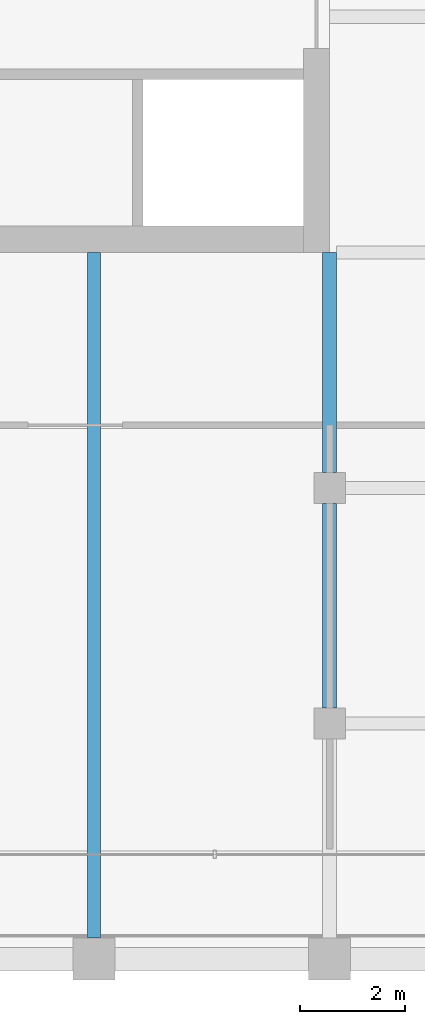
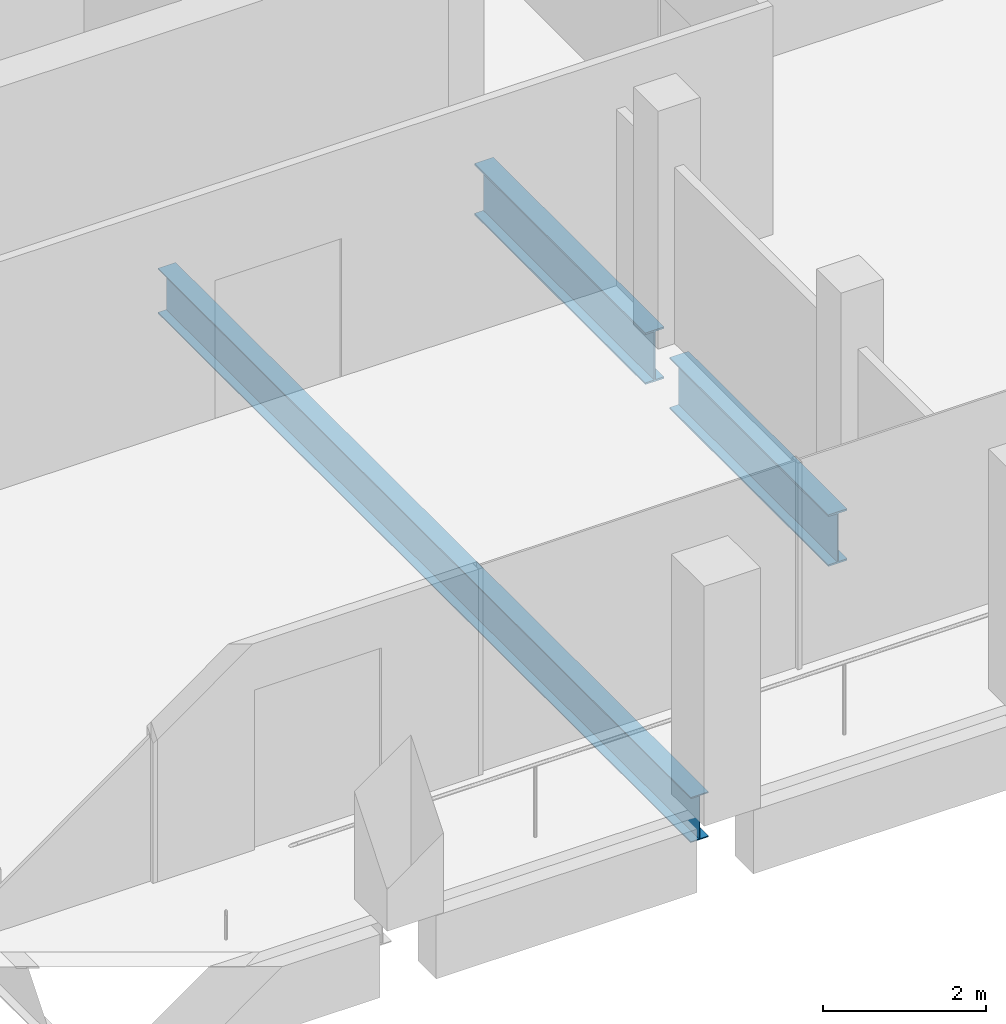
# One storey, part 10 of 30: 3 beams.
"""IFC4 building model written with IfcOpenShell, lengths in metres."""

import ifcopenshell
import ifcopenshell.guid

model = None  # the IFC model being written
_history = None  # IfcOwnerHistory: only IFC2X3 demands one
_inside = {}  # id of a spatial element -> (the spatial element, [elements in it])
_under = {}  # id of a project, library or spatial element -> (it, [spatial elements below it])
_declared = {}  # id of a project -> (the project, [libraries it declares])
_typed = {}  # id of a type object -> (the type object, [elements of that type])
_made_of = {}  # id of a material, layer set ... -> (it, [elements and type objects made of it])


def new_model(schema):
    """Start an empty IFC model of exactly this schema.

    Asked for "IFC4X3", IfcOpenShell would pick the latest addendum, in which some entities
    have other attributes; the version numbers below select the first issue.
    IFC2X3 requires an IfcOwnerHistory on every rooted entity: one is made here for all.
    """
    global model, _history
    if schema == "IFC4X3":
        model = ifcopenshell.file(schema_version=(4, 3, 0, 0))
    else:
        model = ifcopenshell.file(schema=schema)
    _inside.clear()
    _under.clear()
    _declared.clear()
    _typed.clear()
    _made_of.clear()
    _history = None
    if model.schema == "IFC2X3":
        org = make("IfcOrganization", Name="unknown")
        user = make(
            "IfcPersonAndOrganization",
            ThePerson=make("IfcPerson", FamilyName="unknown"),
            TheOrganization=org,
        )
        app = make(
            "IfcApplication",
            ApplicationDeveloper=org,
            Version="unknown",
            ApplicationFullName="unknown",
            ApplicationIdentifier="unknown",
        )
        _history = make(
            "IfcOwnerHistory",
            OwningUser=user,
            OwningApplication=app,
            ChangeAction="ADDED",
            CreationDate=0,
        )
    return model


def make(cls, **values):
    """One entity of the class cls with the attributes given. An attribute that is None is left unset."""
    return model.create_entity(
        cls, **{name: value for name, value in values.items() if value is not None}
    )


def rooted(cls, **values):
    """An entity with a GlobalId (a new one), such as an element, a storey or a relation."""
    return make(cls, GlobalId=ifcopenshell.guid.new(), OwnerHistory=_history, **values)


def si_unit(unit_type, name, prefix=None):
    """IfcSIUnit, for example si_unit("LENGTHUNIT", "METRE", prefix="MILLI")."""
    return make("IfcSIUnit", UnitType=unit_type, Prefix=prefix, Name=name)


def assignment(units):
    """IfcUnitAssignment: the units of a project."""
    return None if units is None else make("IfcUnitAssignment", Units=units)


def point(xyz):
    """IfcCartesianPoint."""
    return None if xyz is None else make("IfcCartesianPoint", Coordinates=xyz)


def direction(xyz):
    """IfcDirection."""
    return None if xyz is None else make("IfcDirection", DirectionRatios=xyz)


def frame(location, z_axis=None, x_axis=None):
    """IfcAxis2Placement3D, a coordinate frame: its origin and axes. An axis left out is left unset."""
    return make(
        "IfcAxis2Placement3D",
        Location=point(location),
        Axis=direction(z_axis),
        RefDirection=direction(x_axis),
    )


def frame_2d(location, x_axis=None):
    """IfcAxis2Placement2D, a coordinate frame in the plane: its origin and x axis."""
    return make(
        "IfcAxis2Placement2D", Location=point(location), RefDirection=direction(x_axis)
    )


def origin():
    """The frame at (0, 0, 0) with its axes left unset."""
    return frame((0.0, 0.0, 0.0))


def origin_2d():
    """The frame at (0, 0) in the plane with its x axis left unset."""
    return frame_2d((0.0, 0.0))


def place(relative_to, where):
    """IfcLocalPlacement: puts the frame where relative to a parent placement (None: the world)."""
    return make(
        "IfcLocalPlacement", PlacementRelTo=relative_to, RelativePlacement=where
    )


def context(
    kind, dimensions, precision=None, world=None, true_north=None, identifier=None
):
    """IfcGeometricRepresentationContext, for example the 3D "Model" context."""
    return make(
        "IfcGeometricRepresentationContext",
        ContextIdentifier=identifier,
        ContextType=kind,
        CoordinateSpaceDimension=dimensions,
        Precision=precision,
        WorldCoordinateSystem=world,
        TrueNorth=true_north,
    )


def subcontext(parent, identifier, kind, view, scale=None):
    """IfcGeometricRepresentationSubContext, for example "Body" below "Model"."""
    return make(
        "IfcGeometricRepresentationSubContext",
        ContextIdentifier=identifier,
        ContextType=kind,
        ParentContext=parent,
        TargetScale=scale,
        TargetView=view,
    )


def project(units=None, contexts=None):
    """IfcProject with its units and contexts."""
    return rooted(
        "IfcProject",
        Name="project",
        RepresentationContexts=contexts,
        UnitsInContext=assignment(units),
    )


def spatial(cls, under=None, at=None, **own):
    """A site, building, storey or space (cls), placed at a placement, below another one or the project."""
    s = rooted(cls, ObjectPlacement=at, **own)
    if under is not None:
        _under.setdefault(under.id(), (under, []))[1].append(s)
    return s


def profile(cls, at=None, kind="AREA", **sizes):
    """A parametric profile (cls). Its sizes go by their IFC names, for example OverallWidth=200.0."""
    return make(cls, ProfileType=kind, Position=at, **sizes)


def i_section(**sizes):
    """IfcIShapeProfileDef."""
    return profile("IfcIShapeProfileDef", **sizes)


def extrude(swept, where, along, depth):
    """IfcExtrudedAreaSolid: the profile swept, set in the frame where, extruded along a direction by depth."""
    return make(
        "IfcExtrudedAreaSolid",
        SweptArea=swept,
        Position=where,
        ExtrudedDirection=direction(along),
        Depth=depth,
    )


def shape(context_of_items, identifier, shape_type, items):
    """IfcShapeRepresentation: the items that make up one representation, for example the "Body"."""
    return make(
        "IfcShapeRepresentation",
        ContextOfItems=context_of_items,
        RepresentationIdentifier=identifier,
        RepresentationType=shape_type,
        Items=items,
    )


def material(Name=None, Category=None):
    """IfcMaterial."""
    return make("IfcMaterial", Name=Name, Category=Category)


def material_profile(
    of_material, cross_section, Name=None, Category=None, Priority=None
):
    """IfcMaterialProfile: a cross section and its material."""
    return make(
        "IfcMaterialProfile",
        Name=Name,
        Material=of_material,
        Profile=cross_section,
        Priority=Priority,
        Category=Category,
    )


def profile_set(profiles, Name=None, composite=None):
    """IfcMaterialProfileSet."""
    return make(
        "IfcMaterialProfileSet",
        Name=Name,
        MaterialProfiles=profiles,
        CompositeProfile=composite,
    )


def made_of(thing, what):
    """Note that an element or type object is made of a material, layer set ...; save() writes the relation."""
    if what is not None:
        _made_of.setdefault(what.id(), (what, []))[1].append(thing)
    return thing


def type_object(cls, material=None, **own):
    """A type object (cls), such as IfcWallType, which elements share."""
    return made_of(rooted(cls, **own), material)


def element(
    cls,
    number,
    at=None,
    inside=None,
    cuts=None,
    type_object=None,
    material=None,
    context=None,
    identifier="Body",
    shape_type=None,
    held_by="IfcProductDefinitionShape",
    body=None,
    shapes=None,
    **own,
):
    """One element of the class cls, such as IfcWall. Its Tag is "e" and its number.

    at: its placement. inside: the storey or other place that contains it. cuts: it is an
    opening in that element (IfcRelVoidsElement). A single representation is given by context,
    identifier, shape_type and body (its items); several are given by shapes. held_by: the class
    of the entity that holds the representations. save() writes the other relations.
    """
    e = rooted(cls, Tag="e%d" % number, ObjectPlacement=at, **own)
    if body is not None:
        shapes = [shape(context, identifier, shape_type, body)]
    if shapes is not None:
        e.Representation = make(held_by, Representations=shapes)
    if inside is not None:
        _inside.setdefault(inside.id(), (inside, []))[1].append(e)
    if cuts is not None:
        rooted(
            "IfcRelVoidsElement", RelatingBuildingElement=cuts, RelatedOpeningElement=e
        )
    if type_object is not None:
        _typed.setdefault(type_object.id(), (type_object, []))[1].append(e)
    return made_of(e, material)


def aggregate(whole, parts):
    """IfcRelAggregates: a whole, such as a stair, and the parts it consists of."""
    return rooted("IfcRelAggregates", RelatingObject=whole, RelatedObjects=parts)


def save(model, path):
    """Write the relations noted so far, then the file.

    IfcRelAggregates (storeys below a building ...), IfcRelContainedInSpatialStructure (elements
    in a storey), IfcRelDefinesByType, IfcRelAssociatesMaterial and IfcRelDeclares: one each for
    every whole, place, type object, material and project.
    """
    for whole, parts in _under.values():
        aggregate(whole, parts)
    for where, things in _inside.values():
        rooted(
            "IfcRelContainedInSpatialStructure",
            RelatedElements=things,
            RelatingStructure=where,
        )
    for kind, things in _typed.values():
        rooted("IfcRelDefinesByType", RelatedObjects=things, RelatingType=kind)
    for what, things in _made_of.values():
        rooted("IfcRelAssociatesMaterial", RelatedObjects=things, RelatingMaterial=what)
    for by, libraries in _declared.values():
        rooted("IfcRelDeclares", RelatingContext=by, RelatedDefinitions=libraries)
    model.write(path)


model = new_model("IFC4")

# Units and contexts
model_context = context("Model", 3, precision=1e-05, world=origin(), true_north=direction((0.0, 1.0)))
body_context = subcontext(model_context, "Body", "Model", "MODEL_VIEW")
ifc_project = project(units=[si_unit("LENGTHUNIT", "METRE"), si_unit("AREAUNIT", "SQUARE_METRE"), si_unit("VOLUMEUNIT", "CUBIC_METRE"), si_unit("PLANEANGLEUNIT", "RADIAN"), si_unit("MASSUNIT", "GRAM", prefix="KILO")], contexts=[model_context])

# Site, building, storey
site_placement = place(None, origin())
site = spatial("IfcSite", under=ifc_project, at=site_placement, CompositionType="ELEMENT")
building_placement = place(site_placement, origin())
building = spatial("IfcBuilding", under=site, at=building_placement, Name="Altepetl Exchange Towers", CompositionType="ELEMENT")
storey_placement = place(building_placement, frame((0.0, 0.0, 231.60009765625)))
storey = spatial("IfcBuildingStorey", under=building, at=storey_placement, Name="L59", CompositionType="ELEMENT", Elevation=231.60009765625)

# Beams
ifc_material = material(Name="Steel S355", Category="steel")
ifc_material_profile_1 = material_profile(ifc_material, i_section(OverallWidth=0.2529296875, OverallDepth=0.677978515625, WebThickness=0.01171875, FlangeThickness=0.016357421875, at=origin_2d()), Name="W27X84")
ifc_profile_set_1 = profile_set([ifc_material_profile_1], Name="Steel S355")
beam_type_1 = type_object("IfcBeamType", Name="Floor beam W27X84", PredefinedType="BEAM", material=ifc_profile_set_1)
beam_1_placement = place(storey_placement, frame((54.0, 27.39990234375, -0.489013671875), z_axis=(0.0, 1.0, 0.0), x_axis=(-1.0, 0.0, 0.0)))
element("IfcBeam", 1, at=beam_1_placement, inside=storey, type_object=beam_type_1, Name="bm:A:L59:017", PredefinedType="BEAM", context=body_context, shape_type="SweptSolid", body=[
    extrude(i_section(OverallWidth=0.2529296875, OverallDepth=0.677978515625, WebThickness=0.01171875, FlangeThickness=0.016357421875, at=origin_2d()), origin(), (0.0, 0.0, 1.0), 13.10009765625),
])
ifc_material_profile_2 = material_profile(ifc_material, i_section(OverallWidth=0.26806640625, OverallDepth=0.77392578125, WebThickness=0.015380859375, FlangeThickness=0.025390625, at=origin_2d()), Name="W30X132")
ifc_profile_set_2 = profile_set([ifc_material_profile_2], Name="Steel S355")
beam_type_2 = type_object("IfcBeamType", Name="Girder W30X132", PredefinedType="BEAM", material=ifc_profile_set_2)
beam_2_placement = place(storey_placement, frame((58.5, 40.5, -0.537109375), z_axis=(0.0, -1.0, 0.0), x_axis=(1.0, 0.0, 0.0)))
element("IfcBeam", 2, at=beam_2_placement, inside=storey, type_object=beam_type_2, Name="gd:A:L59:003", PredefinedType="BEAM", context=body_context, shape_type="SweptSolid", body=[
    extrude(i_section(OverallWidth=0.26806640625, OverallDepth=0.77392578125, WebThickness=0.015380859375, FlangeThickness=0.025390625, at=origin_2d()), origin(), (0.0, 0.0, 1.0), 4.199951171875),
])
beam_3_placement = place(storey_placement, frame((58.5, 35.699951171875, -0.537109375), z_axis=(0.0, -1.0, 0.0), x_axis=(1.0, 0.0, 0.0)))
element("IfcBeam", 3, at=beam_3_placement, inside=storey, type_object=beam_type_2, Name="gd:A:L59:004", PredefinedType="BEAM", context=body_context, shape_type="SweptSolid", body=[
    extrude(i_section(OverallWidth=0.26806640625, OverallDepth=0.77392578125, WebThickness=0.015380859375, FlangeThickness=0.025390625, at=origin_2d()), origin(), (0.0, 0.0, 1.0), 3.89990234375),
])

save(model, "model.ifc")
